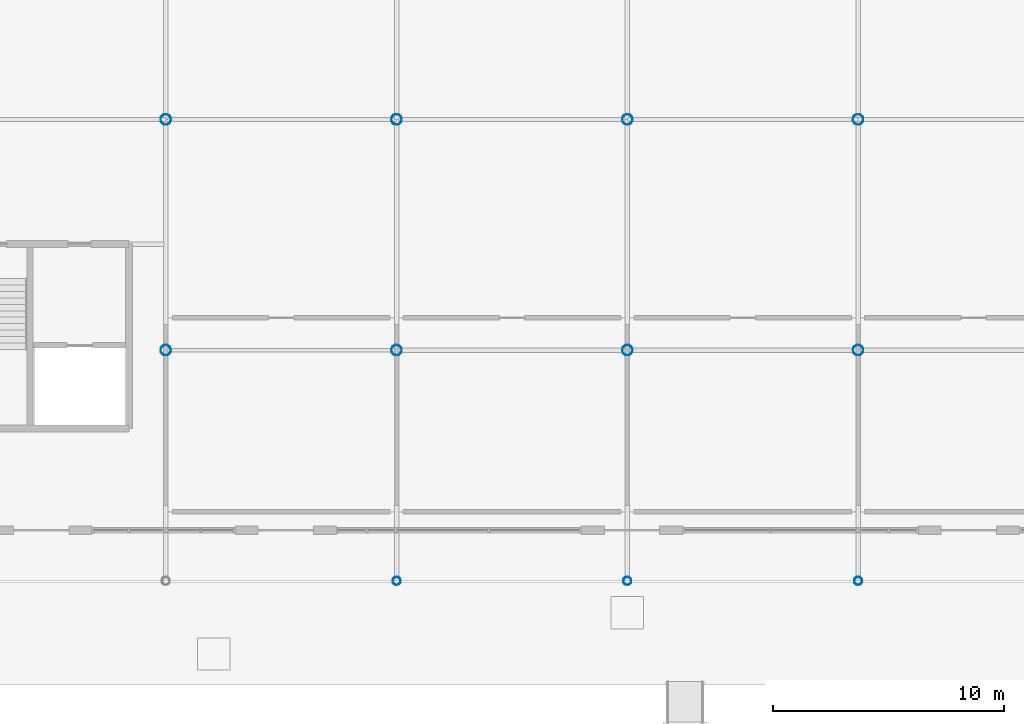
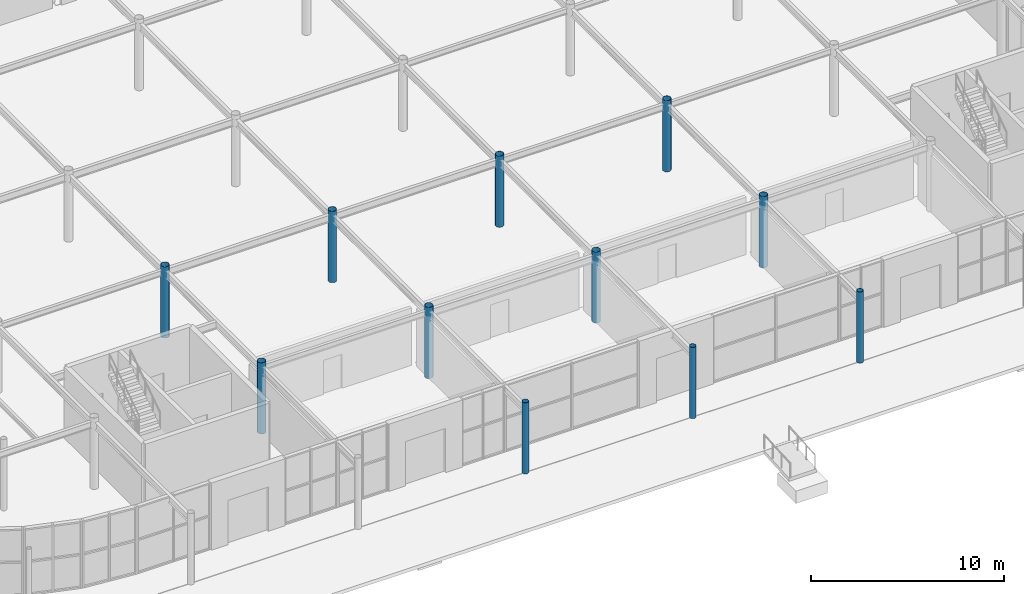
# One storey, part 9 of 119: 11 columns.
"""IFC4 building model written with IfcOpenShell, lengths in metres."""

import ifcopenshell
import ifcopenshell.guid

model = None  # the IFC model being written
_history = None  # IfcOwnerHistory: only IFC2X3 demands one
_inside = {}  # id of a spatial element -> (the spatial element, [elements in it])
_under = {}  # id of a project, library or spatial element -> (it, [spatial elements below it])
_declared = {}  # id of a project -> (the project, [libraries it declares])
_typed = {}  # id of a type object -> (the type object, [elements of that type])
_made_of = {}  # id of a material, layer set ... -> (it, [elements and type objects made of it])


def new_model(schema):
    """Start an empty IFC model of exactly this schema.

    Asked for "IFC4X3", IfcOpenShell would pick the latest addendum, in which some entities
    have other attributes; the version numbers below select the first issue.
    IFC2X3 requires an IfcOwnerHistory on every rooted entity: one is made here for all.
    """
    global model, _history
    if schema == "IFC4X3":
        model = ifcopenshell.file(schema_version=(4, 3, 0, 0))
    else:
        model = ifcopenshell.file(schema=schema)
    _inside.clear()
    _under.clear()
    _declared.clear()
    _typed.clear()
    _made_of.clear()
    _history = None
    if model.schema == "IFC2X3":
        org = make("IfcOrganization", Name="unknown")
        user = make(
            "IfcPersonAndOrganization",
            ThePerson=make("IfcPerson", FamilyName="unknown"),
            TheOrganization=org,
        )
        app = make(
            "IfcApplication",
            ApplicationDeveloper=org,
            Version="unknown",
            ApplicationFullName="unknown",
            ApplicationIdentifier="unknown",
        )
        _history = make(
            "IfcOwnerHistory",
            OwningUser=user,
            OwningApplication=app,
            ChangeAction="ADDED",
            CreationDate=0,
        )
    return model


def make(cls, **values):
    """One entity of the class cls with the attributes given. An attribute that is None is left unset."""
    return model.create_entity(
        cls, **{name: value for name, value in values.items() if value is not None}
    )


def rooted(cls, **values):
    """An entity with a GlobalId (a new one), such as an element, a storey or a relation."""
    return make(cls, GlobalId=ifcopenshell.guid.new(), OwnerHistory=_history, **values)


def si_unit(unit_type, name, prefix=None):
    """IfcSIUnit, for example si_unit("LENGTHUNIT", "METRE", prefix="MILLI")."""
    return make("IfcSIUnit", UnitType=unit_type, Prefix=prefix, Name=name)


def derived_unit(unit_type, elements):
    """IfcDerivedUnit: a product of units, each with its exponent."""
    return make(
        "IfcDerivedUnit",
        Elements=[
            make("IfcDerivedUnitElement", Unit=unit, Exponent=power)
            for unit, power in elements
        ],
        UnitType=unit_type,
    )


def assignment(units):
    """IfcUnitAssignment: the units of a project."""
    return None if units is None else make("IfcUnitAssignment", Units=units)


def point(xyz):
    """IfcCartesianPoint."""
    return None if xyz is None else make("IfcCartesianPoint", Coordinates=xyz)


def direction(xyz):
    """IfcDirection."""
    return None if xyz is None else make("IfcDirection", DirectionRatios=xyz)


def frame(location, z_axis=None, x_axis=None):
    """IfcAxis2Placement3D, a coordinate frame: its origin and axes. An axis left out is left unset."""
    return make(
        "IfcAxis2Placement3D",
        Location=point(location),
        Axis=direction(z_axis),
        RefDirection=direction(x_axis),
    )


def frame_2d(location, x_axis=None):
    """IfcAxis2Placement2D, a coordinate frame in the plane: its origin and x axis."""
    return make(
        "IfcAxis2Placement2D", Location=point(location), RefDirection=direction(x_axis)
    )


def origin():
    """The frame at (0, 0, 0) with its axes left unset."""
    return frame((0.0, 0.0, 0.0))


def origin_2d_with_axis():
    """The frame at (0, 0) in the plane with the x axis (1, 0) written out."""
    return frame_2d((0.0, 0.0), x_axis=(1.0, 0.0))


def place(relative_to, where):
    """IfcLocalPlacement: puts the frame where relative to a parent placement (None: the world)."""
    return make(
        "IfcLocalPlacement", PlacementRelTo=relative_to, RelativePlacement=where
    )


def context(
    kind, dimensions, precision=None, world=None, true_north=None, identifier=None
):
    """IfcGeometricRepresentationContext, for example the 3D "Model" context."""
    return make(
        "IfcGeometricRepresentationContext",
        ContextIdentifier=identifier,
        ContextType=kind,
        CoordinateSpaceDimension=dimensions,
        Precision=precision,
        WorldCoordinateSystem=world,
        TrueNorth=true_north,
    )


def subcontext(parent, identifier, kind, view, scale=None):
    """IfcGeometricRepresentationSubContext, for example "Body" below "Model"."""
    return make(
        "IfcGeometricRepresentationSubContext",
        ContextIdentifier=identifier,
        ContextType=kind,
        ParentContext=parent,
        TargetScale=scale,
        TargetView=view,
    )


def project(units=None, contexts=None):
    """IfcProject with its units and contexts."""
    return rooted(
        "IfcProject",
        Name="project",
        RepresentationContexts=contexts,
        UnitsInContext=assignment(units),
    )


def spatial(cls, under=None, at=None, **own):
    """A site, building, storey or space (cls), placed at a placement, below another one or the project."""
    s = rooted(cls, ObjectPlacement=at, **own)
    if under is not None:
        _under.setdefault(under.id(), (under, []))[1].append(s)
    return s


def profile(cls, at=None, kind="AREA", **sizes):
    """A parametric profile (cls). Its sizes go by their IFC names, for example OverallWidth=200.0."""
    return make(cls, ProfileType=kind, Position=at, **sizes)


def hollow_circle(**sizes):
    """IfcCircleHollowProfileDef."""
    return profile("IfcCircleHollowProfileDef", **sizes)


def extrude(swept, where, along, depth):
    """IfcExtrudedAreaSolid: the profile swept, set in the frame where, extruded along a direction by depth."""
    return make(
        "IfcExtrudedAreaSolid",
        SweptArea=swept,
        Position=where,
        ExtrudedDirection=direction(along),
        Depth=depth,
    )


def shape(context_of_items, identifier, shape_type, items):
    """IfcShapeRepresentation: the items that make up one representation, for example the "Body"."""
    return make(
        "IfcShapeRepresentation",
        ContextOfItems=context_of_items,
        RepresentationIdentifier=identifier,
        RepresentationType=shape_type,
        Items=items,
    )


def material(Name=None, Category=None):
    """IfcMaterial."""
    return make("IfcMaterial", Name=Name, Category=Category)


def material_profile(
    of_material, cross_section, Name=None, Category=None, Priority=None
):
    """IfcMaterialProfile: a cross section and its material."""
    return make(
        "IfcMaterialProfile",
        Name=Name,
        Material=of_material,
        Profile=cross_section,
        Priority=Priority,
        Category=Category,
    )


def profile_set(profiles, Name=None, composite=None):
    """IfcMaterialProfileSet."""
    return make(
        "IfcMaterialProfileSet",
        Name=Name,
        MaterialProfiles=profiles,
        CompositeProfile=composite,
    )


def made_of(thing, what):
    """Note that an element or type object is made of a material, layer set ...; save() writes the relation."""
    if what is not None:
        _made_of.setdefault(what.id(), (what, []))[1].append(thing)
    return thing


def type_object(cls, material=None, **own):
    """A type object (cls), such as IfcWallType, which elements share."""
    return made_of(rooted(cls, **own), material)


def element(
    cls,
    number,
    at=None,
    inside=None,
    cuts=None,
    type_object=None,
    material=None,
    context=None,
    identifier="Body",
    shape_type=None,
    held_by="IfcProductDefinitionShape",
    body=None,
    shapes=None,
    **own,
):
    """One element of the class cls, such as IfcWall. Its Tag is "e" and its number.

    at: its placement. inside: the storey or other place that contains it. cuts: it is an
    opening in that element (IfcRelVoidsElement). A single representation is given by context,
    identifier, shape_type and body (its items); several are given by shapes. held_by: the class
    of the entity that holds the representations. save() writes the other relations.
    """
    e = rooted(cls, Tag="e%d" % number, ObjectPlacement=at, **own)
    if body is not None:
        shapes = [shape(context, identifier, shape_type, body)]
    if shapes is not None:
        e.Representation = make(held_by, Representations=shapes)
    if inside is not None:
        _inside.setdefault(inside.id(), (inside, []))[1].append(e)
    if cuts is not None:
        rooted(
            "IfcRelVoidsElement", RelatingBuildingElement=cuts, RelatedOpeningElement=e
        )
    if type_object is not None:
        _typed.setdefault(type_object.id(), (type_object, []))[1].append(e)
    return made_of(e, material)


def aggregate(whole, parts):
    """IfcRelAggregates: a whole, such as a stair, and the parts it consists of."""
    return rooted("IfcRelAggregates", RelatingObject=whole, RelatedObjects=parts)


def save(model, path):
    """Write the relations noted so far, then the file.

    IfcRelAggregates (storeys below a building ...), IfcRelContainedInSpatialStructure (elements
    in a storey), IfcRelDefinesByType, IfcRelAssociatesMaterial and IfcRelDeclares: one each for
    every whole, place, type object, material and project.
    """
    for whole, parts in _under.values():
        aggregate(whole, parts)
    for where, things in _inside.values():
        rooted(
            "IfcRelContainedInSpatialStructure",
            RelatedElements=things,
            RelatingStructure=where,
        )
    for kind, things in _typed.values():
        rooted("IfcRelDefinesByType", RelatedObjects=things, RelatingType=kind)
    for what, things in _made_of.values():
        rooted("IfcRelAssociatesMaterial", RelatedObjects=things, RelatingMaterial=what)
    for by, libraries in _declared.values():
        rooted("IfcRelDeclares", RelatingContext=by, RelatedDefinitions=libraries)
    model.write(path)


model = new_model("IFC4")

# Units and contexts
model_context = context("Model", 3, precision=1e-05, world=origin(), true_north=direction((0.0, 1.0)))
body_context = subcontext(model_context, "Body", "Model", "MODEL_VIEW")
ifc_project = project(units=[si_unit("LENGTHUNIT", "METRE"), si_unit("AREAUNIT", "SQUARE_METRE"), si_unit("VOLUMEUNIT", "CUBIC_METRE"), si_unit("PLANEANGLEUNIT", "RADIAN"), si_unit("MASSUNIT", "GRAM", prefix="KILO"), derived_unit("THERMALTRANSMITTANCEUNIT", [(si_unit("POWERUNIT", "WATT"), 1), (si_unit("LENGTHUNIT", "METRE"), -2), (si_unit("THERMODYNAMICTEMPERATUREUNIT", "KELVIN"), -1)])], contexts=[model_context])

# Site, building, storey
site_placement = place(None, origin())
site = spatial("IfcSite", under=ifc_project, at=site_placement, CompositionType="ELEMENT")
building_placement = place(site_placement, origin())
building = spatial("IfcBuilding", under=site, at=building_placement, Name="Cinnabar Yard Market Hall", CompositionType="ELEMENT")
storey_placement = place(building_placement, origin())
storey = spatial("IfcBuildingStorey", under=building, at=storey_placement, Name="L00", CompositionType="ELEMENT", Elevation=0.0)

# Columns
ifc_material = material(Name="Spotted-gum glulam-clad steel Grade 350 (350 MPa)", Category="steel")
ifc_material_profile_1 = material_profile(ifc_material, hollow_circle(Radius=0.228515625, WallThickness=0.0126953125, at=origin_2d_with_axis()), Name="457.0x12.7CHS")
ifc_profile_set_1 = profile_set([ifc_material_profile_1], Name="Spotted-gum glulam-clad steel Grade 350 (350 MPa)")
column_type_1 = type_object("IfcColumnType", Name="COL-C01", PredefinedType="COLUMN", material=ifc_profile_set_1)
for number, where, z_axis, x_axis, name in (
    (1, (96.0, 24.0, 0.0), (0.0, 0.0, 1.0), (1.0, 0.0, 0.0), "Tree Column V1I-03-01 L00"),
    (2, (96.0, 34.0, 0.0), (0.0, 0.0, 1.0), (1.0, 0.0, 0.0), "Tree Column V1I-03-02 L00"),
    (3, (106.0, 24.0, 0.0), (0.0, 0.0, 1.0), (1.0, 0.0, 0.0), "Tree Column V1I-04-01 L00"),
    (4, (106.0, 34.0, 0.0), (0.0, 0.0, 1.0), (1.0, 0.0, 0.0), "Tree Column V1I-04-02 L00"),
    (5, (116.0, 24.0, 0.0), (0.0, 0.0, 1.0), (1.0, 0.0, 0.0), "Tree Column V1I-05-01 L00"),
    (6, (116.0, 34.0, 0.0), (0.0, 0.0, 1.0), (1.0, 0.0, 0.0), "Tree Column V1I-05-02 L00"),
    (7, (126.0, 24.0, 0.0), (0.0, 0.0, 1.0), (1.0, 0.0, 0.0), "Tree Column V1I-06-01 L00"),
    (8, (126.0, 34.0, 0.0), (0.0, 0.0, 1.0), (1.0, 0.0, 0.0), "Tree Column V1I-06-02 L00"),
):
    element("IfcColumn", number, at=place(storey_placement, frame(where, z_axis=z_axis, x_axis=x_axis)), inside=storey, type_object=column_type_1, Name=name, PredefinedType="COLUMN", context=body_context, shape_type="SweptSolid", body=[
        extrude(hollow_circle(Radius=0.228515625, WallThickness=0.0126953125, at=origin_2d_with_axis()), origin(), (0.0, 0.0, 1.0), 4.5),
    ])
ifc_material_profile_2 = material_profile(ifc_material, hollow_circle(Radius=0.177734375, WallThickness=0.0126953125, at=origin_2d_with_axis()), Name="355.6x12.7CHS")
ifc_profile_set_2 = profile_set([ifc_material_profile_2], Name="Spotted-gum glulam-clad steel Grade 350 (350 MPa)")
column_type_2 = type_object("IfcColumnType", Name="COL-C02E", PredefinedType="COLUMN", material=ifc_profile_set_2)
for number, where, z_axis, x_axis, name in (
    (9, (106.0, 14.0, 0.0), (0.0, 0.0, 1.0), (1.0, 0.0, 0.0), "Tree Column V1S-03 L00"),
    (10, (116.0, 14.0, 0.0), (0.0, 0.0, 1.0), (1.0, 0.0, 0.0), "Tree Column V1S-04 L00"),
    (11, (126.0, 14.0, 0.0), (0.0, 0.0, 1.0), (1.0, 0.0, 0.0), "Tree Column V1S-05 L00"),
):
    element("IfcColumn", number, at=place(storey_placement, frame(where, z_axis=z_axis, x_axis=x_axis)), inside=storey, type_object=column_type_2, Name=name, PredefinedType="COLUMN", context=body_context, shape_type="SweptSolid", body=[
        extrude(hollow_circle(Radius=0.177734375, WallThickness=0.0126953125, at=origin_2d_with_axis()), origin(), (0.0, 0.0, 1.0), 4.5),
    ])

save(model, "model.ifc")
